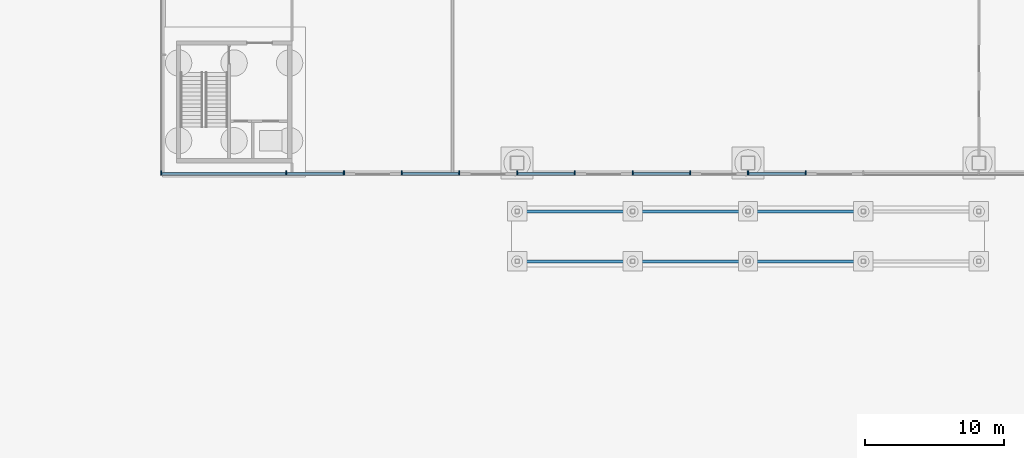
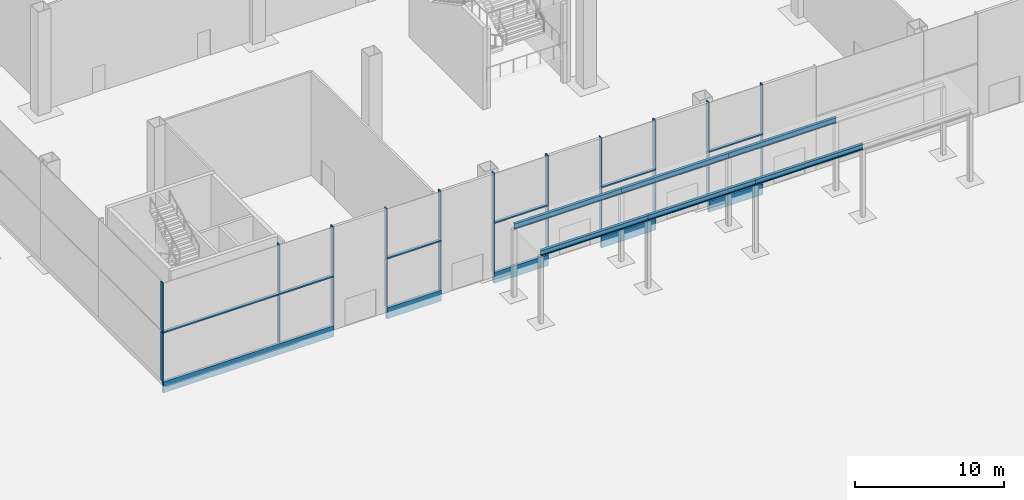
# One storey, part 23 of 113: 32 members, 6 beams, 1 element without a shape of its own.
"""IFC4 building model written with IfcOpenShell, lengths in metres."""

from ifc_helpers import new_model, si_unit, direction, frame, origin, origin_2d, place, context, subcontext, project, spatial, rectangle, i_section, extrude, material, layer, layer_set, material_profile, profile_set, type_object, element, aggregate, save


model = new_model("IFC4")

# Units and contexts
model_context = context("Model", 3, precision=1e-05, world=origin(), true_north=direction((0.0, 1.0)))
body_context = subcontext(model_context, "Body", "Model", "MODEL_VIEW")
ifc_project = project(units=[si_unit("LENGTHUNIT", "METRE"), si_unit("AREAUNIT", "SQUARE_METRE"), si_unit("VOLUMEUNIT", "CUBIC_METRE"), si_unit("PLANEANGLEUNIT", "RADIAN"), si_unit("MASSUNIT", "GRAM", prefix="KILO")], contexts=[model_context])

# Site, building, storey
site_placement = place(None, origin())
site = spatial("IfcSite", under=ifc_project, at=site_placement, CompositionType="ELEMENT")
building_placement = place(site_placement, origin())
building = spatial("IfcBuilding", under=site, at=building_placement, Name="Hakoniwa Tower and Hamabe Station Hall", CompositionType="ELEMENT")
storey_placement = place(building_placement, origin())
storey = spatial("IfcBuildingStorey", under=building, at=storey_placement, Name="L01", CompositionType="ELEMENT", Elevation=0.0)

# Beams
ifc_material_1 = material(Name="Steel SN490B", Category="steel")
ifc_material_profile_1 = material_profile(ifc_material_1, i_section(OverallWidth=0.199951171875, OverallDepth=0.449951171875, WebThickness=0.009033203125, FlangeThickness=0.013916015625, FilletRadius=0.01806640625, at=origin_2d()), Name="H-450x200x9x14")
ifc_profile_set_1 = profile_set([ifc_material_profile_1], Name="Steel SN490B")
beam_type = type_object("IfcBeamType", Name="CANOPY BEAM H-450x200x9x14", PredefinedType="BEAM", material=ifc_profile_set_1)
for number, where, z_axis, x_axis, name in (
    (1, (110.909912109375, -26.89990234375, 5.72509765625), (1.0, 0.0, 0.0), (0.0, 1.0, 0.0), "Canopy beam S11"),
    (2, (119.22998046875, -26.89990234375, 5.72509765625), (1.0, 0.0, 0.0), (0.0, 1.0, 0.0), "Canopy beam S12"),
    (3, (127.550048828125, -26.89990234375, 5.72509765625), (1.0, 0.0, 0.0), (0.0, 1.0, 0.0), "Canopy beam S13"),
    (4, (110.909912109375, -30.5, 5.72509765625), (1.0, 0.0, 0.0), (0.0, 1.0, 0.0), "Canopy beam S21"),
    (5, (119.22998046875, -30.5, 5.72509765625), (1.0, 0.0, 0.0), (0.0, 1.0, 0.0), "Canopy beam S22"),
    (6, (127.550048828125, -30.5, 5.72509765625), (1.0, 0.0, 0.0), (0.0, 1.0, 0.0), "Canopy beam S23"),
):
    element("IfcBeam", number, at=place(storey_placement, frame(where, z_axis=z_axis, x_axis=x_axis)), inside=storey, type_object=beam_type, Name=name, PredefinedType="BEAM", context=body_context, shape_type="SweptSolid", body=[
        extrude(i_section(OverallWidth=0.199951171875, OverallDepth=0.449951171875, WebThickness=0.009033203125, FlangeThickness=0.013916015625, FilletRadius=0.01806640625, at=origin_2d()), origin(), (0.0, 0.0, 1.0), 8.320068359375),
    ])

# Curtain wall, members
ifc_material_2 = material(Name="Dark low-e laminated glass", Category="glass")
ifc_layer = layer(ifc_material_2, 0.199951171875)
ifc_layer_set = layer_set([ifc_layer], Name="CW-7 STATION")
curtain_wall_type = type_object("IfcCurtainWallType", Name="CW-7 STATION", PredefinedType="NOTDEFINED", material=ifc_layer_set)
curtain_wall_placement = place(storey_placement, origin())
curtain_wall = element("IfcCurtainWall", 7, at=curtain_wall_placement, inside=storey, type_object=curtain_wall_type, Name="Station curtain wall L01 south", PredefinedType="NOTDEFINED")
ifc_material_3 = material(Name="Aluminium 6063-T5 black anodised", Category="aluminium")
ifc_material_profile_2 = material_profile(ifc_material_3, rectangle(XDim=0.199951171875, YDim=0.1201171875, at=origin_2d()), Name="CW MID TRANSOM 120X200")
ifc_profile_set_2 = profile_set([ifc_material_profile_2], Name="Aluminium 6063-T5 black anodised")
member_type_1 = type_object("IfcMemberType", Name="CW MID TRANSOM 120X200", PredefinedType="USERDEFINED", material=ifc_profile_set_2)
member_1_placement = place(storey_placement, frame((85.25, -24.199951171875, 4.39990234375), z_axis=(1.0, 0.0, 0.0), x_axis=(0.0, 1.0, 0.0)))
member_1 = element("IfcMember", 8, at=member_1_placement, type_object=member_type_1, Name="CW-7 transom", ObjectType="TRANSOM", PredefinedType="USERDEFINED", context=body_context, shape_type="SweptSolid", body=[
    extrude(rectangle(XDim=0.199951171875, YDim=0.1201171875, at=origin_2d()), origin(), (0.0, 0.0, 1.0), 13.2099609375),
])
member_2_placement = place(storey_placement, frame((102.56005859375, -24.199951171875, 4.39990234375), z_axis=(1.0, 0.0, 0.0), x_axis=(0.0, 1.0, 0.0)))
member_2 = element("IfcMember", 9, at=member_2_placement, type_object=member_type_1, Name="CW-7 transom", ObjectType="TRANSOM", PredefinedType="USERDEFINED", context=body_context, shape_type="SweptSolid", body=[
    extrude(rectangle(XDim=0.199951171875, YDim=0.1201171875, at=origin_2d()), origin(), (0.0, 0.0, 1.0), 4.219970703125),
])
member_3_placement = place(storey_placement, frame((110.8798828125, -24.199951171875, 4.39990234375), z_axis=(1.0, 0.0, 0.0), x_axis=(0.0, 1.0, 0.0)))
member_3 = element("IfcMember", 10, at=member_3_placement, type_object=member_type_1, Name="CW-7 transom", ObjectType="TRANSOM", PredefinedType="USERDEFINED", context=body_context, shape_type="SweptSolid", body=[
    extrude(rectangle(XDim=0.199951171875, YDim=0.1201171875, at=origin_2d()), origin(), (0.0, 0.0, 1.0), 4.22021484375),
])
member_4_placement = place(storey_placement, frame((119.199951171875, -24.199951171875, 4.39990234375), z_axis=(1.0, 0.0, 0.0), x_axis=(0.0, 1.0, 0.0)))
member_4 = element("IfcMember", 11, at=member_4_placement, type_object=member_type_1, Name="CW-7 transom", ObjectType="TRANSOM", PredefinedType="USERDEFINED", context=body_context, shape_type="SweptSolid", body=[
    extrude(rectangle(XDim=0.199951171875, YDim=0.1201171875, at=origin_2d()), origin(), (0.0, 0.0, 1.0), 4.219970703125),
])
member_5_placement = place(storey_placement, frame((127.52001953125, -24.199951171875, 4.39990234375), z_axis=(1.0, 0.0, 0.0), x_axis=(0.0, 1.0, 0.0)))
member_5 = element("IfcMember", 12, at=member_5_placement, type_object=member_type_1, Name="CW-7 transom", ObjectType="TRANSOM", PredefinedType="USERDEFINED", context=body_context, shape_type="SweptSolid", body=[
    extrude(rectangle(XDim=0.199951171875, YDim=0.1201171875, at=origin_2d()), origin(), (0.0, 0.0, 1.0), 4.219970703125),
])
ifc_material_4 = material(Name="Aluminium 6063-T5 black anodised", Category="aluminium")
ifc_material_profile_3 = material_profile(ifc_material_4, rectangle(XDim=0.199951171875, YDim=0.89990234375, at=origin_2d()), Name="CW SLAB-EDGE BAND 900X200")
ifc_profile_set_3 = profile_set([ifc_material_profile_3], Name="Aluminium 6063-T5 black anodised")
member_type_2 = type_object("IfcMemberType", Name="CW SLAB-EDGE BAND 900X200", PredefinedType="USERDEFINED", material=ifc_profile_set_3)
member_6_placement = place(storey_placement, frame((85.25, -24.199951171875, -0.10009765625), z_axis=(1.0, 0.0, 0.0), x_axis=(0.0, 1.0, 0.0)))
member_6 = element("IfcMember", 13, at=member_6_placement, type_object=member_type_2, Name="CW-7 transom", ObjectType="TRANSOM", PredefinedType="USERDEFINED", context=body_context, shape_type="SweptSolid", body=[
    extrude(rectangle(XDim=0.199951171875, YDim=0.89990234375, at=origin_2d()), origin(), (0.0, 0.0, 1.0), 13.2099609375),
])
member_7_placement = place(storey_placement, frame((102.56005859375, -24.199951171875, -0.10009765625), z_axis=(1.0, 0.0, 0.0), x_axis=(0.0, 1.0, 0.0)))
member_7 = element("IfcMember", 14, at=member_7_placement, type_object=member_type_2, Name="CW-7 transom", ObjectType="TRANSOM", PredefinedType="USERDEFINED", context=body_context, shape_type="SweptSolid", body=[
    extrude(rectangle(XDim=0.199951171875, YDim=0.89990234375, at=origin_2d()), origin(), (0.0, 0.0, 1.0), 4.219970703125),
])
member_8_placement = place(storey_placement, frame((110.8798828125, -24.199951171875, -0.10009765625), z_axis=(1.0, 0.0, 0.0), x_axis=(0.0, 1.0, 0.0)))
member_8 = element("IfcMember", 15, at=member_8_placement, type_object=member_type_2, Name="CW-7 transom", ObjectType="TRANSOM", PredefinedType="USERDEFINED", context=body_context, shape_type="SweptSolid", body=[
    extrude(rectangle(XDim=0.199951171875, YDim=0.89990234375, at=origin_2d()), origin(), (0.0, 0.0, 1.0), 4.22021484375),
])
member_9_placement = place(storey_placement, frame((119.199951171875, -24.199951171875, -0.10009765625), z_axis=(1.0, 0.0, 0.0), x_axis=(0.0, 1.0, 0.0)))
member_9 = element("IfcMember", 16, at=member_9_placement, type_object=member_type_2, Name="CW-7 transom", ObjectType="TRANSOM", PredefinedType="USERDEFINED", context=body_context, shape_type="SweptSolid", body=[
    extrude(rectangle(XDim=0.199951171875, YDim=0.89990234375, at=origin_2d()), origin(), (0.0, 0.0, 1.0), 4.219970703125),
])
member_10_placement = place(storey_placement, frame((127.52001953125, -24.199951171875, -0.10009765625), z_axis=(1.0, 0.0, 0.0), x_axis=(0.0, 1.0, 0.0)))
member_10 = element("IfcMember", 17, at=member_10_placement, type_object=member_type_2, Name="CW-7 transom", ObjectType="TRANSOM", PredefinedType="USERDEFINED", context=body_context, shape_type="SweptSolid", body=[
    extrude(rectangle(XDim=0.199951171875, YDim=0.89990234375, at=origin_2d()), origin(), (0.0, 0.0, 1.0), 4.219970703125),
])
ifc_material_5 = material(Name="Aluminium 6063-T5 black anodised", Category="aluminium")
ifc_material_profile_4 = material_profile(ifc_material_5, rectangle(XDim=0.080078125, YDim=0.300048828125, at=origin_2d()), Name="CW-3 MULLION 80X300")
ifc_profile_set_4 = profile_set([ifc_material_profile_4], Name="Aluminium 6063-T5 black anodised")
member_type_3 = type_object("IfcMemberType", Name="CW-3 MULLION 80X300", PredefinedType="MULLION", material=ifc_profile_set_4)
member_11_placement = place(storey_placement, frame((85.25, -24.1220703125, 0.35009765625), z_axis=(0.0, 0.0, 1.0), x_axis=(1.0, 0.0, 0.0)))
member_11 = element("IfcMember", 18, at=member_11_placement, type_object=member_type_3, Name="CW-7 mullion", PredefinedType="MULLION", context=body_context, shape_type="SweptSolid", body=[
    extrude(rectangle(XDim=0.080078125, YDim=0.300048828125, at=origin_2d()), origin(), (0.0, 0.0, 1.0), 3.989990234375),
])
member_12_placement = place(storey_placement, frame((85.25, -24.1220703125, 4.4599609375), z_axis=(0.0, 0.0, 1.0), x_axis=(1.0, 0.0, 0.0)))
member_12 = element("IfcMember", 19, at=member_12_placement, type_object=member_type_3, Name="CW-7 mullion", PredefinedType="MULLION", context=body_context, shape_type="SweptSolid", body=[
    extrude(rectangle(XDim=0.080078125, YDim=0.300048828125, at=origin_2d()), origin(), (0.0, 0.0, 1.0), 3.989990234375),
])
member_13_placement = place(storey_placement, frame((94.27001953125, -24.1220703125, 0.35009765625), z_axis=(0.0, 0.0, 1.0), x_axis=(1.0, 0.0, 0.0)))
member_13 = element("IfcMember", 20, at=member_13_placement, type_object=member_type_3, Name="CW-7 mullion", PredefinedType="MULLION", context=body_context, shape_type="SweptSolid", body=[
    extrude(rectangle(XDim=0.080078125, YDim=0.300048828125, at=origin_2d()), origin(), (0.0, 0.0, 1.0), 3.989990234375),
])
member_14_placement = place(storey_placement, frame((94.27001953125, -24.1220703125, 4.4599609375), z_axis=(0.0, 0.0, 1.0), x_axis=(1.0, 0.0, 0.0)))
member_14 = element("IfcMember", 21, at=member_14_placement, type_object=member_type_3, Name="CW-7 mullion", PredefinedType="MULLION", context=body_context, shape_type="SweptSolid", body=[
    extrude(rectangle(XDim=0.080078125, YDim=0.300048828125, at=origin_2d()), origin(), (0.0, 0.0, 1.0), 3.989990234375),
])
member_15_placement = place(storey_placement, frame((98.429931640625, -24.1220703125, 0.35009765625), z_axis=(0.0, 0.0, 1.0), x_axis=(1.0, 0.0, 0.0)))
member_15 = element("IfcMember", 22, at=member_15_placement, type_object=member_type_3, Name="CW-7 mullion", PredefinedType="MULLION", context=body_context, shape_type="SweptSolid", body=[
    extrude(rectangle(XDim=0.080078125, YDim=0.300048828125, at=origin_2d()), origin(), (0.0, 0.0, 1.0), 3.989990234375),
])
member_16_placement = place(storey_placement, frame((98.429931640625, -24.1220703125, 4.4599609375), z_axis=(0.0, 0.0, 1.0), x_axis=(1.0, 0.0, 0.0)))
member_16 = element("IfcMember", 23, at=member_16_placement, type_object=member_type_3, Name="CW-7 mullion", PredefinedType="MULLION", context=body_context, shape_type="SweptSolid", body=[
    extrude(rectangle(XDim=0.080078125, YDim=0.300048828125, at=origin_2d()), origin(), (0.0, 0.0, 1.0), 3.989990234375),
])
member_17_placement = place(storey_placement, frame((102.590087890625, -24.1220703125, 0.35009765625), z_axis=(0.0, 0.0, 1.0), x_axis=(1.0, 0.0, 0.0)))
member_17 = element("IfcMember", 24, at=member_17_placement, type_object=member_type_3, Name="CW-7 mullion", PredefinedType="MULLION", context=body_context, shape_type="SweptSolid", body=[
    extrude(rectangle(XDim=0.080078125, YDim=0.300048828125, at=origin_2d()), origin(), (0.0, 0.0, 1.0), 3.989990234375),
])
member_18_placement = place(storey_placement, frame((102.590087890625, -24.1220703125, 4.4599609375), z_axis=(0.0, 0.0, 1.0), x_axis=(1.0, 0.0, 0.0)))
member_18 = element("IfcMember", 25, at=member_18_placement, type_object=member_type_3, Name="CW-7 mullion", PredefinedType="MULLION", context=body_context, shape_type="SweptSolid", body=[
    extrude(rectangle(XDim=0.080078125, YDim=0.300048828125, at=origin_2d()), origin(), (0.0, 0.0, 1.0), 3.989990234375),
])
member_19_placement = place(storey_placement, frame((106.75, -24.1220703125, 0.35009765625), z_axis=(0.0, 0.0, 1.0), x_axis=(1.0, 0.0, 0.0)))
member_19 = element("IfcMember", 26, at=member_19_placement, type_object=member_type_3, Name="CW-7 mullion", PredefinedType="MULLION", context=body_context, shape_type="SweptSolid", body=[
    extrude(rectangle(XDim=0.080078125, YDim=0.300048828125, at=origin_2d()), origin(), (0.0, 0.0, 1.0), 3.989990234375),
])
member_20_placement = place(storey_placement, frame((106.75, -24.1220703125, 4.4599609375), z_axis=(0.0, 0.0, 1.0), x_axis=(1.0, 0.0, 0.0)))
member_20 = element("IfcMember", 27, at=member_20_placement, type_object=member_type_3, Name="CW-7 mullion", PredefinedType="MULLION", context=body_context, shape_type="SweptSolid", body=[
    extrude(rectangle(XDim=0.080078125, YDim=0.300048828125, at=origin_2d()), origin(), (0.0, 0.0, 1.0), 3.989990234375),
])
member_21_placement = place(storey_placement, frame((110.909912109375, -24.1220703125, 0.35009765625), z_axis=(0.0, 0.0, 1.0), x_axis=(1.0, 0.0, 0.0)))
member_21 = element("IfcMember", 28, at=member_21_placement, type_object=member_type_3, Name="CW-7 mullion", PredefinedType="MULLION", context=body_context, shape_type="SweptSolid", body=[
    extrude(rectangle(XDim=0.080078125, YDim=0.300048828125, at=origin_2d()), origin(), (0.0, 0.0, 1.0), 3.989990234375),
])
member_22_placement = place(storey_placement, frame((110.909912109375, -24.1220703125, 4.4599609375), z_axis=(0.0, 0.0, 1.0), x_axis=(1.0, 0.0, 0.0)))
member_22 = element("IfcMember", 29, at=member_22_placement, type_object=member_type_3, Name="CW-7 mullion", PredefinedType="MULLION", context=body_context, shape_type="SweptSolid", body=[
    extrude(rectangle(XDim=0.080078125, YDim=0.300048828125, at=origin_2d()), origin(), (0.0, 0.0, 1.0), 3.989990234375),
])
member_23_placement = place(storey_placement, frame((115.070068359375, -24.1220703125, 0.35009765625), z_axis=(0.0, 0.0, 1.0), x_axis=(1.0, 0.0, 0.0)))
member_23 = element("IfcMember", 30, at=member_23_placement, type_object=member_type_3, Name="CW-7 mullion", PredefinedType="MULLION", context=body_context, shape_type="SweptSolid", body=[
    extrude(rectangle(XDim=0.080078125, YDim=0.300048828125, at=origin_2d()), origin(), (0.0, 0.0, 1.0), 3.989990234375),
])
member_24_placement = place(storey_placement, frame((115.070068359375, -24.1220703125, 4.4599609375), z_axis=(0.0, 0.0, 1.0), x_axis=(1.0, 0.0, 0.0)))
member_24 = element("IfcMember", 31, at=member_24_placement, type_object=member_type_3, Name="CW-7 mullion", PredefinedType="MULLION", context=body_context, shape_type="SweptSolid", body=[
    extrude(rectangle(XDim=0.080078125, YDim=0.300048828125, at=origin_2d()), origin(), (0.0, 0.0, 1.0), 3.989990234375),
])
member_25_placement = place(storey_placement, frame((119.22998046875, -24.1220703125, 0.35009765625), z_axis=(0.0, 0.0, 1.0), x_axis=(1.0, 0.0, 0.0)))
member_25 = element("IfcMember", 32, at=member_25_placement, type_object=member_type_3, Name="CW-7 mullion", PredefinedType="MULLION", context=body_context, shape_type="SweptSolid", body=[
    extrude(rectangle(XDim=0.080078125, YDim=0.300048828125, at=origin_2d()), origin(), (0.0, 0.0, 1.0), 3.989990234375),
])
member_26_placement = place(storey_placement, frame((119.22998046875, -24.1220703125, 4.4599609375), z_axis=(0.0, 0.0, 1.0), x_axis=(1.0, 0.0, 0.0)))
member_26 = element("IfcMember", 33, at=member_26_placement, type_object=member_type_3, Name="CW-7 mullion", PredefinedType="MULLION", context=body_context, shape_type="SweptSolid", body=[
    extrude(rectangle(XDim=0.080078125, YDim=0.300048828125, at=origin_2d()), origin(), (0.0, 0.0, 1.0), 3.989990234375),
])
member_27_placement = place(storey_placement, frame((123.389892578125, -24.1220703125, 0.35009765625), z_axis=(0.0, 0.0, 1.0), x_axis=(1.0, 0.0, 0.0)))
member_27 = element("IfcMember", 34, at=member_27_placement, type_object=member_type_3, Name="CW-7 mullion", PredefinedType="MULLION", context=body_context, shape_type="SweptSolid", body=[
    extrude(rectangle(XDim=0.080078125, YDim=0.300048828125, at=origin_2d()), origin(), (0.0, 0.0, 1.0), 3.989990234375),
])
member_28_placement = place(storey_placement, frame((123.389892578125, -24.1220703125, 4.4599609375), z_axis=(0.0, 0.0, 1.0), x_axis=(1.0, 0.0, 0.0)))
member_28 = element("IfcMember", 35, at=member_28_placement, type_object=member_type_3, Name="CW-7 mullion", PredefinedType="MULLION", context=body_context, shape_type="SweptSolid", body=[
    extrude(rectangle(XDim=0.080078125, YDim=0.300048828125, at=origin_2d()), origin(), (0.0, 0.0, 1.0), 3.989990234375),
])
member_29_placement = place(storey_placement, frame((127.550048828125, -24.1220703125, 0.35009765625), z_axis=(0.0, 0.0, 1.0), x_axis=(1.0, 0.0, 0.0)))
member_29 = element("IfcMember", 36, at=member_29_placement, type_object=member_type_3, Name="CW-7 mullion", PredefinedType="MULLION", context=body_context, shape_type="SweptSolid", body=[
    extrude(rectangle(XDim=0.080078125, YDim=0.300048828125, at=origin_2d()), origin(), (0.0, 0.0, 1.0), 3.989990234375),
])
member_30_placement = place(storey_placement, frame((127.550048828125, -24.1220703125, 4.4599609375), z_axis=(0.0, 0.0, 1.0), x_axis=(1.0, 0.0, 0.0)))
member_30 = element("IfcMember", 37, at=member_30_placement, type_object=member_type_3, Name="CW-7 mullion", PredefinedType="MULLION", context=body_context, shape_type="SweptSolid", body=[
    extrude(rectangle(XDim=0.080078125, YDim=0.300048828125, at=origin_2d()), origin(), (0.0, 0.0, 1.0), 3.989990234375),
])
member_31_placement = place(storey_placement, frame((131.7099609375, -24.1220703125, 0.35009765625), z_axis=(0.0, 0.0, 1.0), x_axis=(1.0, 0.0, 0.0)))
member_31 = element("IfcMember", 38, at=member_31_placement, type_object=member_type_3, Name="CW-7 mullion", PredefinedType="MULLION", context=body_context, shape_type="SweptSolid", body=[
    extrude(rectangle(XDim=0.080078125, YDim=0.300048828125, at=origin_2d()), origin(), (0.0, 0.0, 1.0), 3.989990234375),
])
member_32_placement = place(storey_placement, frame((131.7099609375, -24.1220703125, 4.4599609375), z_axis=(0.0, 0.0, 1.0), x_axis=(1.0, 0.0, 0.0)))
member_32 = element("IfcMember", 39, at=member_32_placement, type_object=member_type_3, Name="CW-7 mullion", PredefinedType="MULLION", context=body_context, shape_type="SweptSolid", body=[
    extrude(rectangle(XDim=0.080078125, YDim=0.300048828125, at=origin_2d()), origin(), (0.0, 0.0, 1.0), 3.989990234375),
])
aggregate(curtain_wall, [member_11, member_12, member_13, member_14, member_15, member_16, member_17, member_18, member_19, member_20, member_21, member_22, member_23, member_24, member_25, member_26, member_27, member_28, member_29, member_30, member_31, member_32, member_6, member_1, member_7, member_2, member_8, member_3, member_9, member_4, member_10, member_5])

save(model, "model.ifc")
